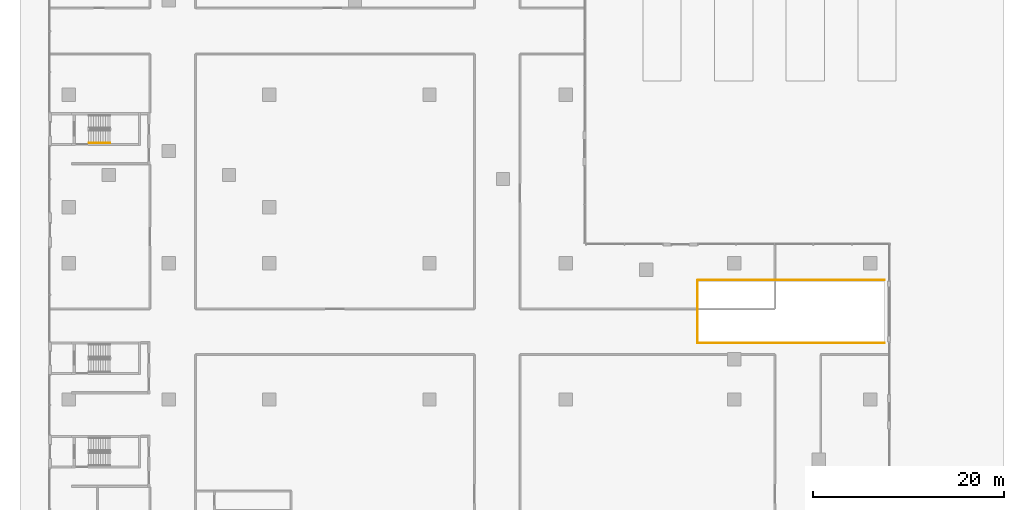
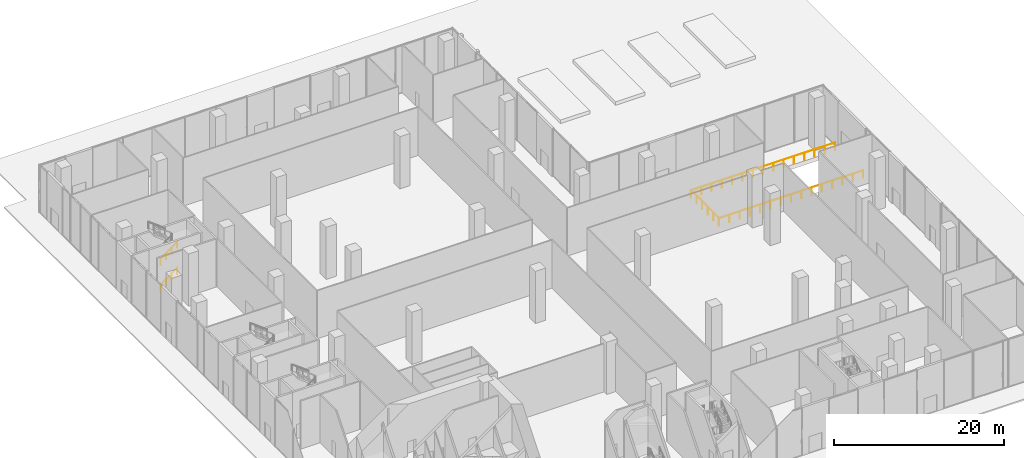
# One storey, part 23 of 26: 5 railings.
"""IFC4 building model written with IfcOpenShell, lengths in metres."""

from ifc_helpers import new_model, si_unit, direction, frame, origin, origin_2d, place, context, subcontext, project, spatial, circle, extrude, source, transform, mapped, material, type_object, element, save


model = new_model("IFC4")

# Units and contexts
model_context = context("Model", 3, precision=1e-05, world=origin(), true_north=direction((0.0, 1.0)))
body_context = subcontext(model_context, "Body", "Model", "MODEL_VIEW")
ifc_project = project(units=[si_unit("LENGTHUNIT", "METRE"), si_unit("AREAUNIT", "SQUARE_METRE"), si_unit("VOLUMEUNIT", "CUBIC_METRE"), si_unit("PLANEANGLEUNIT", "RADIAN"), si_unit("MASSUNIT", "GRAM", prefix="KILO")], contexts=[model_context])

# Site, building, storey
site_placement = place(None, origin())
site = spatial("IfcSite", under=ifc_project, at=site_placement, CompositionType="ELEMENT")
building_placement = place(site_placement, origin())
building = spatial("IfcBuilding", under=site, at=building_placement, Name="Aurelian Terraces", CompositionType="ELEMENT")
storey_placement = place(building_placement, origin())
storey = spatial("IfcBuildingStorey", under=building, at=storey_placement, Name="L00", CompositionType="ELEMENT", Elevation=0.0)

# Railings
ifc_material = material(Name="Stainless steel", Category="steel")
railing_type_1 = type_object("IfcRailingType", Name="Deck edge guard 1100", PredefinedType="GUARDRAIL", material=ifc_material)
railing_1_placement = place(storey_placement, frame((65.9, 43.7, 0.0)))
element("IfcRailing", 1, at=railing_1_placement, inside=storey, type_object=railing_type_1, Name="Deck edge guard ramp opening south", PredefinedType="GUARDRAIL", context=body_context, shape_type="SweptSolid", body=[
    extrude(circle(Radius=0.024, at=origin_2d()), frame((0.0, 0.0, 1.076), z_axis=(1.0, 0.0, 0.0), x_axis=(0.0, 1.0, 0.0)), (0.0, 0.0, 1.0), 19.6),
    extrude(circle(Radius=0.021, at=origin_2d()), origin(), (0.0, 0.0, 1.0), 1.052),
    extrude(circle(Radius=0.021, at=origin_2d()), frame((1.4, 0.0, 0.0)), (0.0, 0.0, 1.0), 1.052),
    extrude(circle(Radius=0.021, at=origin_2d()), frame((2.8, 0.0, 0.0)), (0.0, 0.0, 1.0), 1.052),
    extrude(circle(Radius=0.021, at=origin_2d()), frame((4.2, 0.0, 0.0)), (0.0, 0.0, 1.0), 1.052),
    extrude(circle(Radius=0.021, at=origin_2d()), frame((5.6, 0.0, 0.0)), (0.0, 0.0, 1.0), 1.052),
    extrude(circle(Radius=0.021, at=origin_2d()), frame((7.0, 0.0, 0.0)), (0.0, 0.0, 1.0), 1.052),
    extrude(circle(Radius=0.021, at=origin_2d()), frame((8.4, 0.0, 0.0)), (0.0, 0.0, 1.0), 1.052),
    extrude(circle(Radius=0.021, at=origin_2d()), frame((9.8, 0.0, 0.0)), (0.0, 0.0, 1.0), 1.052),
    extrude(circle(Radius=0.021, at=origin_2d()), frame((11.2, 0.0, 0.0)), (0.0, 0.0, 1.0), 1.052),
    extrude(circle(Radius=0.021, at=origin_2d()), frame((12.6, 0.0, 0.0)), (0.0, 0.0, 1.0), 1.052),
    extrude(circle(Radius=0.021, at=origin_2d()), frame((14.0, 0.0, 0.0)), (0.0, 0.0, 1.0), 1.052),
    extrude(circle(Radius=0.021, at=origin_2d()), frame((15.4, 0.0, 0.0)), (0.0, 0.0, 1.0), 1.052),
    extrude(circle(Radius=0.021, at=origin_2d()), frame((16.8, 0.0, 0.0)), (0.0, 0.0, 1.0), 1.052),
    extrude(circle(Radius=0.021, at=origin_2d()), frame((18.2, 0.0, 0.0)), (0.0, 0.0, 1.0), 1.052),
    extrude(circle(Radius=0.021, at=origin_2d()), frame((19.6, 0.0, 0.0)), (0.0, 0.0, 1.0), 1.052),
])
railing_type_2 = type_object("IfcRailingType", Name="Stair handrail", PredefinedType="HANDRAIL", material=ifc_material)
shared_shape_1 = source(origin(), body_context, "Body", "SweptSolid", [
    extrude(circle(Radius=0.024, at=origin_2d()), frame((0.0, 0.0, 0.876), z_axis=(0.8, 0.0, 0.6), x_axis=(0.0, 1.0, 0.0)), (0.0, 0.0, 1.0), 2.8125),
    extrude(circle(Radius=0.021, at=origin_2d()), origin(), (0.0, 0.0, 1.0), 0.852),
    extrude(circle(Radius=0.021, at=origin_2d()), frame((0.75, 0.0, 0.5625)), (0.0, 0.0, 1.0), 0.852),
    extrude(circle(Radius=0.021, at=origin_2d()), frame((1.5, 0.0, 1.125)), (0.0, 0.0, 1.0), 0.852),
    extrude(circle(Radius=0.021, at=origin_2d()), frame((2.25, 0.0, 1.6875)), (0.0, 0.0, 1.0), 0.852),
])
for number, where, name in (
    (2, (2.1, 64.7, 0.1875), "L00 S5 stair handrail 1"),
    (3, (2.1, 64.7, 3.9375), "L00 S5 stair handrail 3"),
):
    element("IfcRailing", number, at=place(storey_placement, frame(where)), inside=storey, type_object=railing_type_2, Name=name, PredefinedType="HANDRAIL", context=body_context, shape_type="MappedRepresentation", body=[
        mapped(shared_shape_1, transform((0.0, 0.0, 0.0), scale=1.0)),
    ])
shared_shape_2 = source(origin(), body_context, "Body", "SweptSolid", [
    extrude(circle(Radius=0.024, at=origin_2d()), frame((0.0, 0.0, 1.076), z_axis=(1.0, 0.0, 0.0), x_axis=(0.0, 1.0, 0.0)), (0.0, 0.0, 1.0), 19.6),
    extrude(circle(Radius=0.021, at=origin_2d()), origin(), (0.0, 0.0, 1.0), 1.052),
    extrude(circle(Radius=0.021, at=origin_2d()), frame((1.4, 0.0, 0.0)), (0.0, 0.0, 1.0), 1.052),
    extrude(circle(Radius=0.021, at=origin_2d()), frame((2.8, 0.0, 0.0)), (0.0, 0.0, 1.0), 1.052),
    extrude(circle(Radius=0.021, at=origin_2d()), frame((4.2, 0.0, 0.0)), (0.0, 0.0, 1.0), 1.052),
    extrude(circle(Radius=0.021, at=origin_2d()), frame((5.6, 0.0, 0.0)), (0.0, 0.0, 1.0), 1.052),
    extrude(circle(Radius=0.021, at=origin_2d()), frame((7.0, 0.0, 0.0)), (0.0, 0.0, 1.0), 1.052),
    extrude(circle(Radius=0.021, at=origin_2d()), frame((8.4, 0.0, 0.0)), (0.0, 0.0, 1.0), 1.052),
    extrude(circle(Radius=0.021, at=origin_2d()), frame((9.8, 0.0, 0.0)), (0.0, 0.0, 1.0), 1.052),
    extrude(circle(Radius=0.021, at=origin_2d()), frame((11.2, 0.0, 0.0)), (0.0, 0.0, 1.0), 1.052),
    extrude(circle(Radius=0.021, at=origin_2d()), frame((12.6, 0.0, 0.0)), (0.0, 0.0, 1.0), 1.052),
    extrude(circle(Radius=0.021, at=origin_2d()), frame((14.0, 0.0, 0.0)), (0.0, 0.0, 1.0), 1.052),
    extrude(circle(Radius=0.021, at=origin_2d()), frame((15.4, 0.0, 0.0)), (0.0, 0.0, 1.0), 1.052),
    extrude(circle(Radius=0.021, at=origin_2d()), frame((16.8, 0.0, 0.0)), (0.0, 0.0, 1.0), 1.052),
    extrude(circle(Radius=0.021, at=origin_2d()), frame((18.2, 0.0, 0.0)), (0.0, 0.0, 1.0), 1.052),
    extrude(circle(Radius=0.021, at=origin_2d()), frame((19.6, 0.0, 0.0)), (0.0, 0.0, 1.0), 1.052),
])
railing_2_placement = place(storey_placement, frame((65.9, 50.3, 0.0)))
element("IfcRailing", 4, at=railing_2_placement, inside=storey, type_object=railing_type_1, Name="Deck edge guard ramp opening north", PredefinedType="GUARDRAIL", context=body_context, shape_type="MappedRepresentation", body=[
    mapped(shared_shape_2, transform((0.0, 0.0, 0.0), scale=1.0)),
])
shared_shape_3 = source(origin(), body_context, "Body", "SweptSolid", [
    extrude(circle(Radius=0.024, at=origin_2d()), frame((0.0, 0.0, 1.076), z_axis=(0.0, 1.0, 0.0), x_axis=(-1.0, 0.0, 0.0)), (0.0, 0.0, 1.0), 6.6),
    extrude(circle(Radius=0.021, at=origin_2d()), origin(), (0.0, 0.0, 1.0), 1.052),
    extrude(circle(Radius=0.021, at=origin_2d()), frame((0.0, 1.32, 0.0)), (0.0, 0.0, 1.0), 1.052),
    extrude(circle(Radius=0.021, at=origin_2d()), frame((0.0, 2.64, 0.0)), (0.0, 0.0, 1.0), 1.052),
    extrude(circle(Radius=0.021, at=origin_2d()), frame((0.0, 3.96, 0.0)), (0.0, 0.0, 1.0), 1.052),
    extrude(circle(Radius=0.021, at=origin_2d()), frame((0.0, 5.28, 0.0)), (0.0, 0.0, 1.0), 1.052),
    extrude(circle(Radius=0.021, at=origin_2d()), frame((0.0, 6.6, 0.0)), (0.0, 0.0, 1.0), 1.052),
])
railing_3_placement = place(storey_placement, frame((65.9, 43.7, 0.0)))
element("IfcRailing", 5, at=railing_3_placement, inside=storey, type_object=railing_type_1, Name="Deck edge guard ramp opening west", PredefinedType="GUARDRAIL", context=body_context, shape_type="MappedRepresentation", body=[
    mapped(shared_shape_3, transform((0.0, 0.0, 0.0), scale=1.0)),
])

save(model, "model.ifc")
